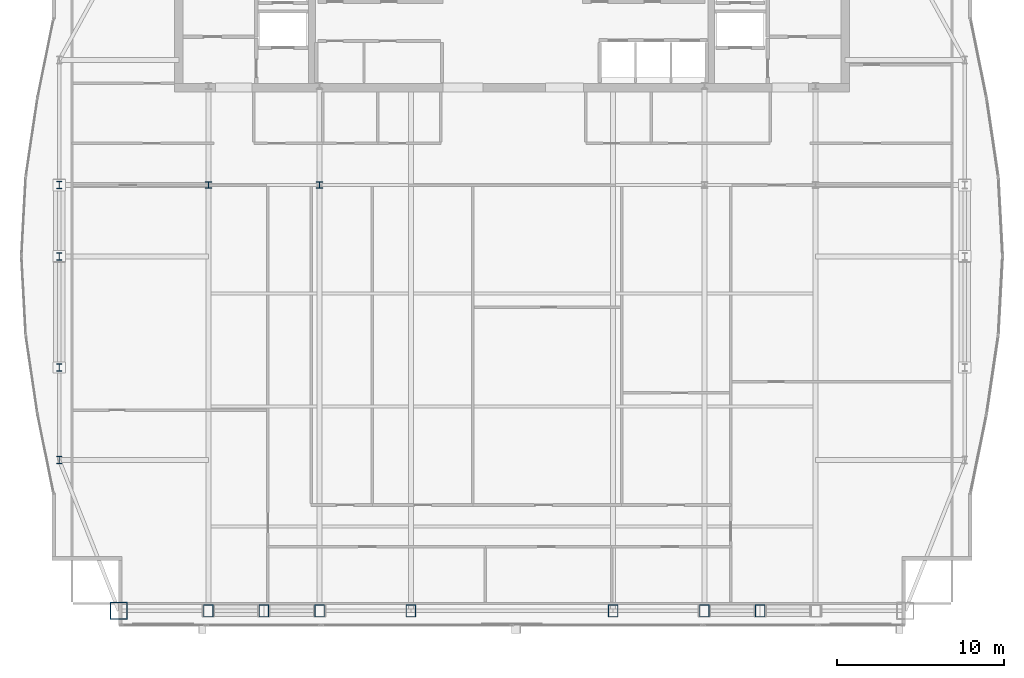
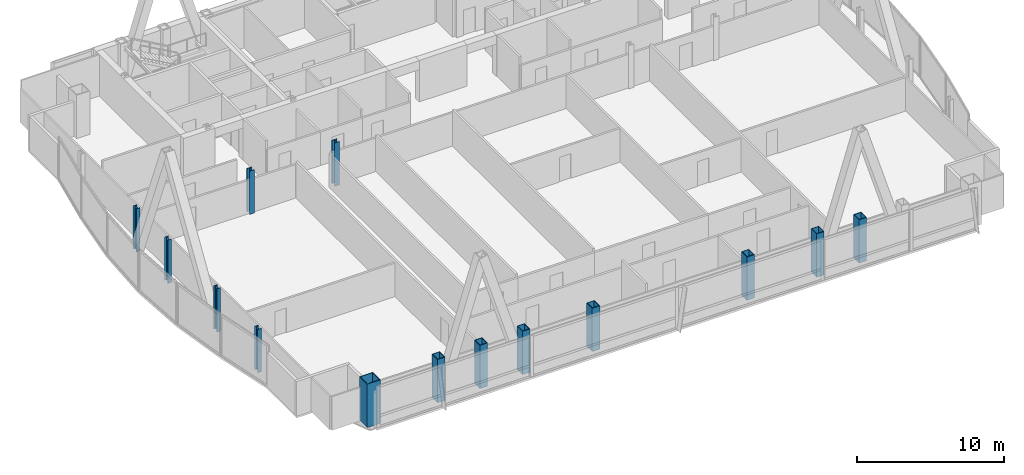
# One storey, part 1 of 31: 14 columns.
"""IFC4 building model written with IfcOpenShell, lengths in metres."""

import ifcopenshell
import ifcopenshell.guid

model = None  # the IFC model being written
_history = None  # IfcOwnerHistory: only IFC2X3 demands one
_inside = {}  # id of a spatial element -> (the spatial element, [elements in it])
_under = {}  # id of a project, library or spatial element -> (it, [spatial elements below it])
_declared = {}  # id of a project -> (the project, [libraries it declares])
_typed = {}  # id of a type object -> (the type object, [elements of that type])
_made_of = {}  # id of a material, layer set ... -> (it, [elements and type objects made of it])


def new_model(schema):
    """Start an empty IFC model of exactly this schema.

    Asked for "IFC4X3", IfcOpenShell would pick the latest addendum, in which some entities
    have other attributes; the version numbers below select the first issue.
    IFC2X3 requires an IfcOwnerHistory on every rooted entity: one is made here for all.
    """
    global model, _history
    if schema == "IFC4X3":
        model = ifcopenshell.file(schema_version=(4, 3, 0, 0))
    else:
        model = ifcopenshell.file(schema=schema)
    _inside.clear()
    _under.clear()
    _declared.clear()
    _typed.clear()
    _made_of.clear()
    _history = None
    if model.schema == "IFC2X3":
        org = make("IfcOrganization", Name="unknown")
        user = make(
            "IfcPersonAndOrganization",
            ThePerson=make("IfcPerson", FamilyName="unknown"),
            TheOrganization=org,
        )
        app = make(
            "IfcApplication",
            ApplicationDeveloper=org,
            Version="unknown",
            ApplicationFullName="unknown",
            ApplicationIdentifier="unknown",
        )
        _history = make(
            "IfcOwnerHistory",
            OwningUser=user,
            OwningApplication=app,
            ChangeAction="ADDED",
            CreationDate=0,
        )
    return model


def make(cls, **values):
    """One entity of the class cls with the attributes given. An attribute that is None is left unset."""
    return model.create_entity(
        cls, **{name: value for name, value in values.items() if value is not None}
    )


def rooted(cls, **values):
    """An entity with a GlobalId (a new one), such as an element, a storey or a relation."""
    return make(cls, GlobalId=ifcopenshell.guid.new(), OwnerHistory=_history, **values)


def si_unit(unit_type, name, prefix=None):
    """IfcSIUnit, for example si_unit("LENGTHUNIT", "METRE", prefix="MILLI")."""
    return make("IfcSIUnit", UnitType=unit_type, Prefix=prefix, Name=name)


def assignment(units):
    """IfcUnitAssignment: the units of a project."""
    return None if units is None else make("IfcUnitAssignment", Units=units)


def point(xyz):
    """IfcCartesianPoint."""
    return None if xyz is None else make("IfcCartesianPoint", Coordinates=xyz)


def direction(xyz):
    """IfcDirection."""
    return None if xyz is None else make("IfcDirection", DirectionRatios=xyz)


def frame(location, z_axis=None, x_axis=None):
    """IfcAxis2Placement3D, a coordinate frame: its origin and axes. An axis left out is left unset."""
    return make(
        "IfcAxis2Placement3D",
        Location=point(location),
        Axis=direction(z_axis),
        RefDirection=direction(x_axis),
    )


def frame_2d(location, x_axis=None):
    """IfcAxis2Placement2D, a coordinate frame in the plane: its origin and x axis."""
    return make(
        "IfcAxis2Placement2D", Location=point(location), RefDirection=direction(x_axis)
    )


def origin():
    """The frame at (0, 0, 0) with its axes left unset."""
    return frame((0.0, 0.0, 0.0))


def origin_2d():
    """The frame at (0, 0) in the plane with its x axis left unset."""
    return frame_2d((0.0, 0.0))


def place(relative_to, where):
    """IfcLocalPlacement: puts the frame where relative to a parent placement (None: the world)."""
    return make(
        "IfcLocalPlacement", PlacementRelTo=relative_to, RelativePlacement=where
    )


def context(
    kind, dimensions, precision=None, world=None, true_north=None, identifier=None
):
    """IfcGeometricRepresentationContext, for example the 3D "Model" context."""
    return make(
        "IfcGeometricRepresentationContext",
        ContextIdentifier=identifier,
        ContextType=kind,
        CoordinateSpaceDimension=dimensions,
        Precision=precision,
        WorldCoordinateSystem=world,
        TrueNorth=true_north,
    )


def subcontext(parent, identifier, kind, view, scale=None):
    """IfcGeometricRepresentationSubContext, for example "Body" below "Model"."""
    return make(
        "IfcGeometricRepresentationSubContext",
        ContextIdentifier=identifier,
        ContextType=kind,
        ParentContext=parent,
        TargetScale=scale,
        TargetView=view,
    )


def project(units=None, contexts=None):
    """IfcProject with its units and contexts."""
    return rooted(
        "IfcProject",
        Name="project",
        RepresentationContexts=contexts,
        UnitsInContext=assignment(units),
    )


def spatial(cls, under=None, at=None, **own):
    """A site, building, storey or space (cls), placed at a placement, below another one or the project."""
    s = rooted(cls, ObjectPlacement=at, **own)
    if under is not None:
        _under.setdefault(under.id(), (under, []))[1].append(s)
    return s


def profile(cls, at=None, kind="AREA", **sizes):
    """A parametric profile (cls). Its sizes go by their IFC names, for example OverallWidth=200.0."""
    return make(cls, ProfileType=kind, Position=at, **sizes)


def hollow_rectangle(**sizes):
    """IfcRectangleHollowProfileDef."""
    return profile("IfcRectangleHollowProfileDef", **sizes)


def i_section(**sizes):
    """IfcIShapeProfileDef."""
    return profile("IfcIShapeProfileDef", **sizes)


def extrude(swept, where, along, depth):
    """IfcExtrudedAreaSolid: the profile swept, set in the frame where, extruded along a direction by depth."""
    return make(
        "IfcExtrudedAreaSolid",
        SweptArea=swept,
        Position=where,
        ExtrudedDirection=direction(along),
        Depth=depth,
    )


def shape(context_of_items, identifier, shape_type, items):
    """IfcShapeRepresentation: the items that make up one representation, for example the "Body"."""
    return make(
        "IfcShapeRepresentation",
        ContextOfItems=context_of_items,
        RepresentationIdentifier=identifier,
        RepresentationType=shape_type,
        Items=items,
    )


def material(Name=None, Category=None):
    """IfcMaterial."""
    return make("IfcMaterial", Name=Name, Category=Category)


def material_profile(
    of_material, cross_section, Name=None, Category=None, Priority=None
):
    """IfcMaterialProfile: a cross section and its material."""
    return make(
        "IfcMaterialProfile",
        Name=Name,
        Material=of_material,
        Profile=cross_section,
        Priority=Priority,
        Category=Category,
    )


def profile_set(profiles, Name=None, composite=None):
    """IfcMaterialProfileSet."""
    return make(
        "IfcMaterialProfileSet",
        Name=Name,
        MaterialProfiles=profiles,
        CompositeProfile=composite,
    )


def made_of(thing, what):
    """Note that an element or type object is made of a material, layer set ...; save() writes the relation."""
    if what is not None:
        _made_of.setdefault(what.id(), (what, []))[1].append(thing)
    return thing


def type_object(cls, material=None, **own):
    """A type object (cls), such as IfcWallType, which elements share."""
    return made_of(rooted(cls, **own), material)


def element(
    cls,
    number,
    at=None,
    inside=None,
    cuts=None,
    type_object=None,
    material=None,
    context=None,
    identifier="Body",
    shape_type=None,
    held_by="IfcProductDefinitionShape",
    body=None,
    shapes=None,
    **own,
):
    """One element of the class cls, such as IfcWall. Its Tag is "e" and its number.

    at: its placement. inside: the storey or other place that contains it. cuts: it is an
    opening in that element (IfcRelVoidsElement). A single representation is given by context,
    identifier, shape_type and body (its items); several are given by shapes. held_by: the class
    of the entity that holds the representations. save() writes the other relations.
    """
    e = rooted(cls, Tag="e%d" % number, ObjectPlacement=at, **own)
    if body is not None:
        shapes = [shape(context, identifier, shape_type, body)]
    if shapes is not None:
        e.Representation = make(held_by, Representations=shapes)
    if inside is not None:
        _inside.setdefault(inside.id(), (inside, []))[1].append(e)
    if cuts is not None:
        rooted(
            "IfcRelVoidsElement", RelatingBuildingElement=cuts, RelatedOpeningElement=e
        )
    if type_object is not None:
        _typed.setdefault(type_object.id(), (type_object, []))[1].append(e)
    return made_of(e, material)


def aggregate(whole, parts):
    """IfcRelAggregates: a whole, such as a stair, and the parts it consists of."""
    return rooted("IfcRelAggregates", RelatingObject=whole, RelatedObjects=parts)


def save(model, path):
    """Write the relations noted so far, then the file.

    IfcRelAggregates (storeys below a building ...), IfcRelContainedInSpatialStructure (elements
    in a storey), IfcRelDefinesByType, IfcRelAssociatesMaterial and IfcRelDeclares: one each for
    every whole, place, type object, material and project.
    """
    for whole, parts in _under.values():
        aggregate(whole, parts)
    for where, things in _inside.values():
        rooted(
            "IfcRelContainedInSpatialStructure",
            RelatedElements=things,
            RelatingStructure=where,
        )
    for kind, things in _typed.values():
        rooted("IfcRelDefinesByType", RelatedObjects=things, RelatingType=kind)
    for what, things in _made_of.values():
        rooted("IfcRelAssociatesMaterial", RelatedObjects=things, RelatingMaterial=what)
    for by, libraries in _declared.values():
        rooted("IfcRelDeclares", RelatingContext=by, RelatedDefinitions=libraries)
    model.write(path)


model = new_model("IFC4")

# Units and contexts
model_context = context("Model", 3, precision=1e-05, world=origin(), true_north=direction((0.0, 1.0)))
body_context = subcontext(model_context, "Body", "Model", "MODEL_VIEW")
ifc_project = project(units=[si_unit("LENGTHUNIT", "METRE"), si_unit("AREAUNIT", "SQUARE_METRE"), si_unit("VOLUMEUNIT", "CUBIC_METRE"), si_unit("PLANEANGLEUNIT", "RADIAN"), si_unit("MASSUNIT", "GRAM", prefix="KILO")], contexts=[model_context])

# Site, building, storey
site_placement = place(None, origin())
site = spatial("IfcSite", under=ifc_project, at=site_placement, CompositionType="ELEMENT")
building_placement = place(site_placement, origin())
building = spatial("IfcBuilding", under=site, at=building_placement, Name="Khoronbel Lancet Exchange", CompositionType="ELEMENT")
storey_placement = place(building_placement, frame((0.0, 0.0, 273.39990234375)))
storey = spatial("IfcBuildingStorey", under=building, at=storey_placement, Name="L70", CompositionType="ELEMENT", Elevation=273.39990234375)

# Columns
ifc_material_1 = material(Name="Steel S460", Category="steel")
ifc_material_profile_1 = material_profile(ifc_material_1, hollow_rectangle(XDim=0.60009765625, YDim=0.75, WallThickness=0.044921875, at=origin_2d()), Name="BOX 750x600x45")
ifc_profile_set_1 = profile_set([ifc_material_profile_1], Name="Steel S460")
column_type_1 = type_object("IfcColumnType", Name="COL-EC3", PredefinedType="COLUMN", material=ifc_profile_set_1)
for number, where, z_axis, x_axis, name in (
    (1, (18.22509765625, 10.14990234375, 0.0), (0.0, 0.0, 1.0), (1.0, 0.0, 0.0), "Structural column SC-W1 L70"),
    (2, (21.5625, 10.14990234375, 0.0), (0.0, 0.0, 1.0), (1.0, 0.0, 0.0), "Structural column SC-WM L70"),
    (3, (24.89990234375, 10.14990234375, 0.0), (0.0, 0.0, 1.0), (1.0, 0.0, 0.0), "Structural column SC-W2 L70"),
    (4, (30.375, 10.14990234375, 0.0), (0.0, 0.0, 1.0), (1.0, 0.0, 0.0), "Structural column SC-C1 L70"),
    (5, (42.52490234375, 10.14990234375, 0.0), (0.0, 0.0, 1.0), (1.0, 0.0, 0.0), "Structural column SC-C2 L70"),
    (6, (48.0, 10.14990234375, 0.0), (0.0, 0.0, 1.0), (1.0, 0.0, 0.0), "Structural column SC-E1 L70"),
    (7, (51.33740234375, 10.14990234375, 0.0), (0.0, 0.0, 1.0), (1.0, 0.0, 0.0), "Structural column SC-EM L70"),
):
    element("IfcColumn", number, at=place(storey_placement, frame(where, z_axis=z_axis, x_axis=x_axis)), inside=storey, type_object=column_type_1, Name=name, PredefinedType="COLUMN", context=body_context, shape_type="SweptSolid", body=[
        extrude(hollow_rectangle(XDim=0.60009765625, YDim=0.75, WallThickness=0.044921875, at=origin_2d()), origin(), (0.0, 0.0, 1.0), 3.60009765625),
    ])
ifc_material_2 = material(Name="Steel S355", Category="steel")
ifc_material_profile_2 = material_profile(ifc_material_2, i_section(OverallWidth=0.39892578125, OverallDepth=0.39306640625, WebThickness=0.022705078125, FlangeThickness=0.03662109375, at=origin_2d()), Name="HD 400x287")
ifc_profile_set_2 = profile_set([ifc_material_profile_2], Name="Steel S355")
column_type_2 = type_object("IfcColumnType", Name="COL-IC4", PredefinedType="COLUMN", material=ifc_profile_set_2)
for number, where, z_axis, x_axis, name in (
    (8, (18.22509765625, 35.699951171875, 0.0), (0.0, 0.0, 1.0), (1.0, 0.0, 0.0), "Spine gravity column TC1 L70"),
    (9, (24.89990234375, 35.699951171875, 0.0), (0.0, 0.0, 1.0), (1.0, 0.0, 0.0), "Spine gravity column TC2 L70"),
):
    element("IfcColumn", number, at=place(storey_placement, frame(where, z_axis=z_axis, x_axis=x_axis)), inside=storey, type_object=column_type_2, Name=name, PredefinedType="COLUMN", context=body_context, shape_type="SweptSolid", body=[
        extrude(i_section(OverallWidth=0.39892578125, OverallDepth=0.39306640625, WebThickness=0.022705078125, FlangeThickness=0.03662109375, at=origin_2d()), origin(), (0.0, 0.0, 1.0), 3.60009765625),
    ])
ifc_material_profile_3 = material_profile(ifc_material_2, i_section(OverallWidth=0.300048828125, OverallDepth=0.449951171875, WebThickness=0.013916015625, FlangeThickness=0.02587890625, at=origin_2d()), Name="HEB 450")
ifc_profile_set_3 = profile_set([ifc_material_profile_3], Name="Steel S355")
column_type_3 = type_object("IfcColumnType", Name="COL-LC2", PredefinedType="COLUMN", material=ifc_profile_set_3)
for number, where, z_axis, x_axis, name in (
    (10, (9.27001953125, 19.199951171875, 0.0), (0.0, 0.0, 1.0), (1.0, 0.0, 0.0), "Structural column WC-1 L70"),
    (11, (9.27001953125, 24.75, 0.0), (0.0, 0.0, 1.0), (1.0, 0.0, 0.0), "Structural column WC-2 L70"),
    (12, (9.27001953125, 31.425048828125, 0.0), (0.0, 0.0, 1.0), (1.0, 0.0, 0.0), "Structural column WC-M L70"),
    (13, (9.27001953125, 35.699951171875, 0.0), (0.0, 0.0, 1.0), (1.0, 0.0, 0.0), "Structural column WC-3 L70"),
):
    element("IfcColumn", number, at=place(storey_placement, frame(where, z_axis=z_axis, x_axis=x_axis)), inside=storey, type_object=column_type_3, Name=name, PredefinedType="COLUMN", context=body_context, shape_type="SweptSolid", body=[
        extrude(i_section(OverallWidth=0.300048828125, OverallDepth=0.449951171875, WebThickness=0.013916015625, FlangeThickness=0.02587890625, at=origin_2d()), origin(), (0.0, 0.0, 1.0), 3.60009765625),
    ])
ifc_material_profile_4 = material_profile(ifc_material_1, hollow_rectangle(XDim=1.050048828125, YDim=1.050048828125, WallThickness=0.054931640625, at=origin_2d()), Name="BOX 1050x1050x55")
ifc_profile_set_4 = profile_set([ifc_material_profile_4], Name="Steel S460")
column_type_4 = type_object("IfcColumnType", Name="COL-MC6", PredefinedType="COLUMN", material=ifc_profile_set_4)
column_placement = place(storey_placement, frame((12.85009765625, 10.14990234375, 0.0), z_axis=(0.0, 0.0, 1.0), x_axis=(1.0, 0.0, 0.0)))
element("IfcColumn", 14, at=column_placement, inside=storey, type_object=column_type_4, Name="Structural column MC-SW L70", PredefinedType="COLUMN", context=body_context, shape_type="SweptSolid", body=[
    extrude(hollow_rectangle(XDim=1.050048828125, YDim=1.050048828125, WallThickness=0.054931640625, at=origin_2d()), origin(), (0.0, 0.0, 1.0), 3.60009765625),
])

save(model, "model.ifc")
